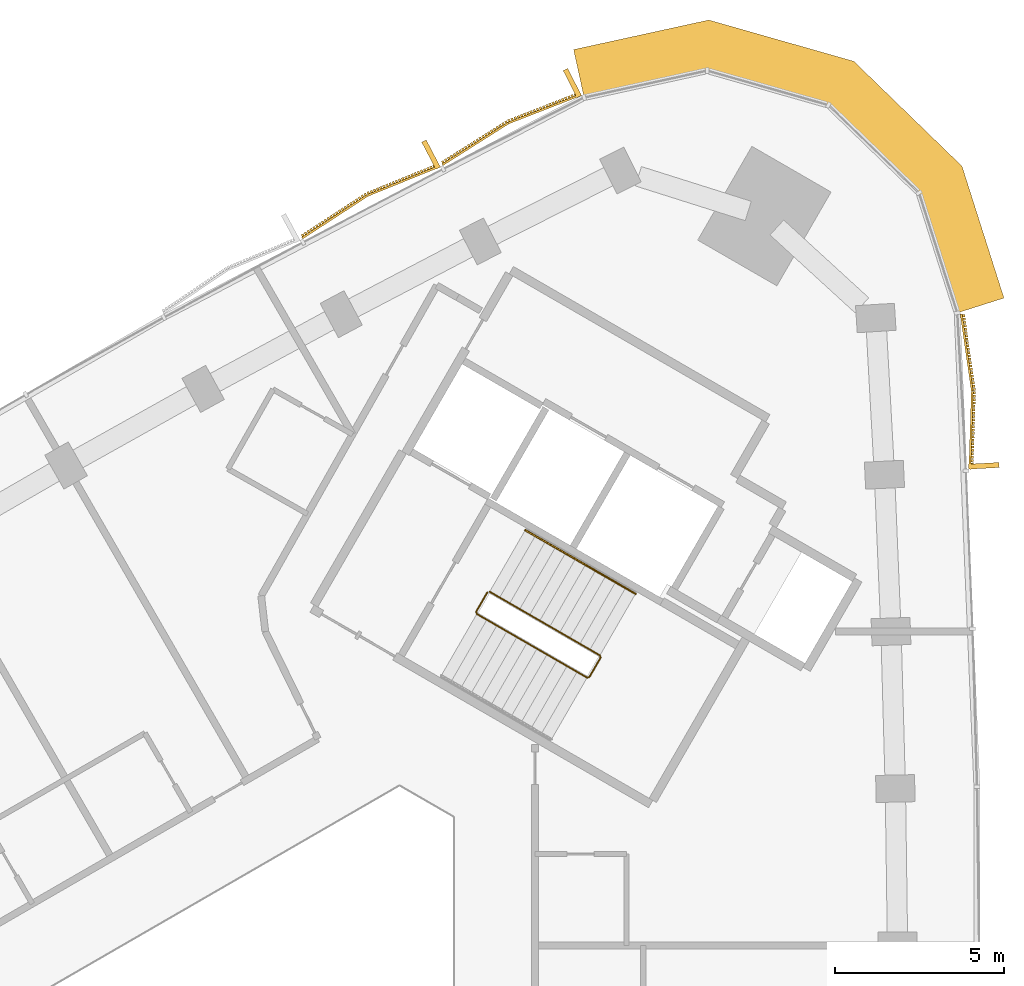
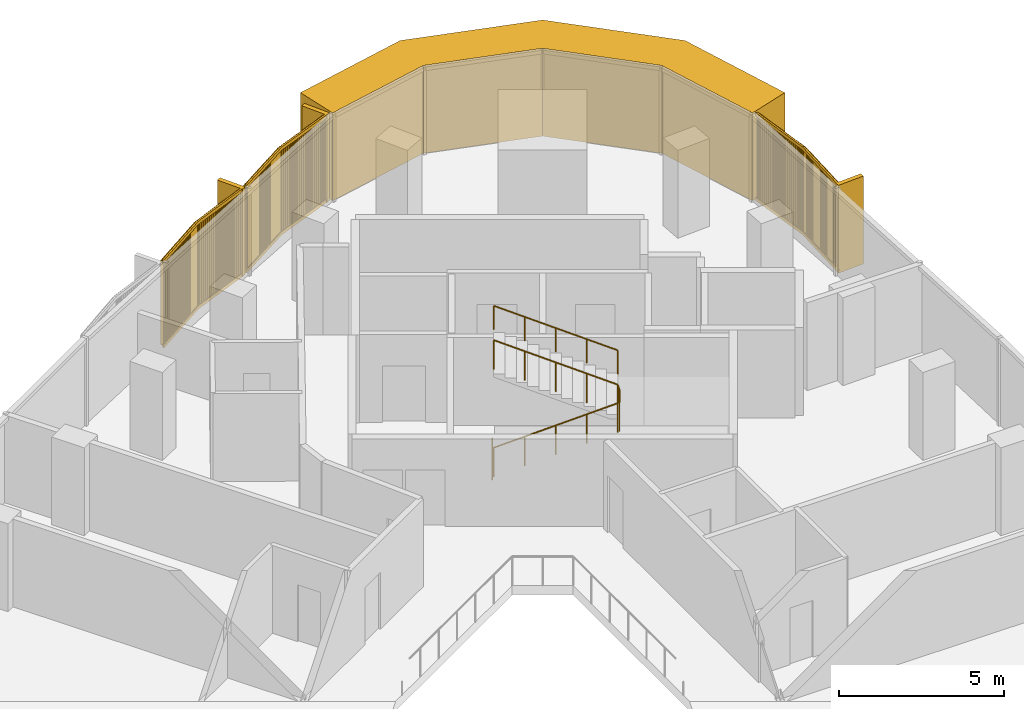
# One storey, part 13 of 13: 4 coverings, 2 railings.
"""IFC4 building model written with IfcOpenShell, lengths in metres."""

from ifc_helpers import new_model, si_unit, direction, frame, frame_2d, origin, origin_2d, place, context, subcontext, project, spatial, polyline, rectangle, circle, outline, extrude, source, transform, mapped, material, layer, layer_set, type_object, element, save


model = new_model("IFC4")

# Units and contexts
model_context = context("Model", 3, precision=1e-05, world=origin(), true_north=direction((0.0, 1.0)))
body_context = subcontext(model_context, "Body", "Model", "MODEL_VIEW")
ifc_project = project(units=[si_unit("LENGTHUNIT", "METRE"), si_unit("AREAUNIT", "SQUARE_METRE"), si_unit("VOLUMEUNIT", "CUBIC_METRE"), si_unit("PLANEANGLEUNIT", "RADIAN"), si_unit("MASSUNIT", "GRAM", prefix="KILO")], contexts=[model_context])

# Site, building, storey
site_placement = place(None, origin())
site = spatial("IfcSite", under=ifc_project, at=site_placement, CompositionType="ELEMENT")
building_placement = place(site_placement, origin())
building = spatial("IfcBuilding", under=site, at=building_placement, Name="Tamra Quay Hotel Tower", CompositionType="ELEMENT")
storey_placement = place(building_placement, frame((0.0, 0.0, 193.60009765625)))
storey = spatial("IfcBuildingStorey", under=building, at=storey_placement, Name="L48", CompositionType="ELEMENT", Elevation=193.60009765625)

# Covering
ifc_material_1 = material(Name="Precast concrete M60 terracotta-coloured", Category="masonry")
ifc_layer = layer(ifc_material_1, 1.449951171875)
ifc_layer_set = layer_set([ifc_layer], Name="CORNER PIER PANEL")
covering_type_1 = type_object("IfcCoveringType", Name="CORNER PIER PANEL", PredefinedType="CLADDING", material=ifc_layer_set)
covering_1_placement = place(storey_placement, origin())
element("IfcCovering", 1, at=covering_1_placement, inside=storey, type_object=covering_type_1, Name="Corner pier L48.east", PredefinedType="CLADDING", context=body_context, shape_type="SweptSolid", body=[
    extrude(outline(polyline([(19.4755859375, 21.00537109375), (20.857421875, 21.4453125), (19.616943359375, 25.3408203125), (16.419921875, 28.440185546875), (12.13720703125, 29.6591796875), (8.1435546875, 28.78564453125), (8.453369140625, 27.369140625), (12.091064453125, 28.164794921875), (15.67236328125, 27.1455078125), (18.345703125, 24.553466796875), (19.4755859375, 21.00537109375)])), origin(), (0.0, 0.0, 1.0), 3.25),
])

# Railings
ifc_material_2 = material(Name="Stair guard 1100")
railing_type_1 = type_object("IfcRailingType", Name="Stair guard 1100", PredefinedType="GUARDRAIL", material=ifc_material_2)
railing_1_placement = place(storey_placement, frame((5.595458984375, 12.751953125, 0.0)))
element("IfcRailing", 2, at=railing_1_placement, inside=storey, type_object=railing_type_1, Name="GR", PredefinedType="GUARDRAIL", context=body_context, shape_type="SweptSolid", body=[
    extrude(circle(Radius=0.02392578125, at=origin_2d()), frame((0.0, 0.0, 1.076171875), z_axis=(-0.499765215335, -0.866160914346, 0.0), x_axis=(0.866160914346, -0.499765215335, 0.0)), (0.0, 0.0, 1.0), 0.658935546875),
    extrude(circle(Radius=0.02392578125, at=origin_2d()), frame((-0.329345703125, -0.57080078125, 1.076171875), z_axis=(0.110525977783, -0.411156637351, 0.904839338113), x_axis=(0.965715946433, 0.259601060869, 0.0)), (0.0, 0.0, 1.0), 0.165771484375),
    extrude(circle(Radius=0.02392578125, at=origin_2d()), frame((-0.31103515625, -0.638916015625, 1.22607421875), z_axis=(0.793078462799, -0.457933869594, 0.401650498471), x_axis=(0.500040788363, 0.866001853331, 0.0)), (0.0, 0.0, 1.0), 4.10791015625),
    extrude(circle(Radius=0.02392578125, at=origin_2d()), frame((2.94677734375, -2.52001953125, 2.8759765625), z_axis=(0.965948051503, 0.258736085224, 0.0), x_axis=(-0.258736085224, 0.965948051503, 0.0)), (0.0, 0.0, 1.0), 0.07080078125),
    extrude(circle(Radius=0.02392578125, at=origin_2d()), frame((3.01513671875, -2.501708984375, 2.8759765625), z_axis=(0.500043078269, 0.866000531106, 0.0), x_axis=(-0.866000531106, 0.500043078269, 0.0)), (0.0, 0.0, 1.0), 0.6591796875),
    extrude(circle(Radius=0.02392578125, at=origin_2d()), frame((3.3447265625, -1.930908203125, 2.8759765625), z_axis=(-0.110378772244, 0.410609032747, 0.905105932399), x_axis=(-0.965715946433, -0.259601060869, 0.0)), (0.0, 0.0, 1.0), 0.165771484375),
    extrude(circle(Radius=0.02392578125, at=origin_2d()), frame((3.326416015625, -1.86279296875, 3.02587890625), z_axis=(-0.793100512587, 0.457912285461, 0.401631567183), x_axis=(-0.500012686397, -0.866018079166, 0.0)), (0.0, 0.0, 1.0), 4.10791015625),
    extrude(circle(Radius=0.02099609375, at=origin_2d()), origin(), (0.0, 0.0, 1.0), 1.052001953125),
    extrude(circle(Radius=0.02099609375, at=origin_2d()), frame((-0.329345703125, -0.57080078125, 0.0)), (0.0, 0.0, 1.0), 1.052001953125),
    extrude(circle(Radius=0.02099609375, at=origin_2d()), frame((-0.31103515625, -0.638916015625, 0.14990234375)), (0.0, 0.0, 1.0), 1.052001953125),
    extrude(circle(Radius=0.02099609375, at=origin_2d()), frame((0.50341796875, -1.109130859375, 0.5625)), (0.0, 0.0, 1.0), 1.052001953125),
    extrude(circle(Radius=0.02099609375, at=origin_2d()), frame((1.31787109375, -1.57958984375, 0.974853515625)), (0.0, 0.0, 1.0), 1.052001953125),
    extrude(circle(Radius=0.02099609375, at=origin_2d()), frame((2.13232421875, -2.0498046875, 1.38720703125)), (0.0, 0.0, 1.0), 1.052001953125),
    extrude(circle(Radius=0.02099609375, at=origin_2d()), frame((2.94677734375, -2.52001953125, 1.7998046875)), (0.0, 0.0, 1.0), 1.052001953125),
    extrude(circle(Radius=0.02099609375, at=origin_2d()), frame((3.01513671875, -2.501708984375, 1.7998046875)), (0.0, 0.0, 1.0), 1.052001953125),
    extrude(circle(Radius=0.02099609375, at=origin_2d()), frame((3.3447265625, -1.930908203125, 1.7998046875)), (0.0, 0.0, 1.0), 1.052001953125),
    extrude(circle(Radius=0.02099609375, at=origin_2d()), frame((3.326416015625, -1.86279296875, 1.949951171875)), (0.0, 0.0, 1.0), 1.052001953125),
    extrude(circle(Radius=0.02099609375, at=origin_2d()), frame((2.511962890625, -1.392578125, 2.3623046875)), (0.0, 0.0, 1.0), 1.052001953125),
    extrude(circle(Radius=0.02099609375, at=origin_2d()), frame((1.697265625, -0.92236328125, 2.77490234375)), (0.0, 0.0, 1.0), 1.052001953125),
    extrude(circle(Radius=0.02099609375, at=origin_2d()), frame((0.8828125, -0.451904296875, 3.1875)), (0.0, 0.0, 1.0), 1.052001953125),
    extrude(circle(Radius=0.02099609375, at=origin_2d()), frame((0.068359375, 0.018310546875, 3.599853515625)), (0.0, 0.0, 1.0), 1.052001953125),
])
ifc_material_3 = material(Name="Stair handrail 900")
railing_type_2 = type_object("IfcRailingType", Name="Stair handrail 900", PredefinedType="HANDRAIL", material=ifc_material_3)
railing_2_placement = place(storey_placement, frame((9.971923828125, 12.7080078125, 1.949951171875)))
element("IfcRailing", 3, at=railing_2_placement, inside=storey, type_object=railing_type_2, Name="HR", PredefinedType="HANDRAIL", context=body_context, shape_type="SweptSolid", body=[
    extrude(circle(Radius=0.02392578125, at=origin_2d()), frame((0.0, 0.0, 0.8759765625), z_axis=(-0.793122095483, 0.45786531462, 0.401642496911), x_axis=(-0.499964013922, -0.86604617936, 0.0)), (0.0, 0.0, 1.0), 4.10791015625),
    extrude(circle(Radius=0.02099609375, at=origin_2d()), origin(), (0.0, 0.0, 1.0), 0.851806640625),
    extrude(circle(Radius=0.02099609375, at=origin_2d()), frame((-0.814453125, 0.47021484375, 0.41259765625)), (0.0, 0.0, 1.0), 0.851806640625),
    extrude(circle(Radius=0.02099609375, at=origin_2d()), frame((-1.62890625, 0.9404296875, 0.824951171875)), (0.0, 0.0, 1.0), 0.851806640625),
    extrude(circle(Radius=0.02099609375, at=origin_2d()), frame((-2.443603515625, 1.41064453125, 1.2373046875)), (0.0, 0.0, 1.0), 0.851806640625),
    extrude(circle(Radius=0.02099609375, at=origin_2d()), frame((-3.258056640625, 1.880859375, 1.64990234375)), (0.0, 0.0, 1.0), 0.851806640625),
])

# Coverings
ifc_material_4 = material(Name="Terracotta baguette extruded", Category="masonry")
covering_type_2 = type_object("IfcCoveringType", Name="BAGUETTE SCREEN E-V H3250", PredefinedType="USERDEFINED", material=ifc_material_4)
shared_shape_1 = source(origin(), body_context, "Body", "SweptSolid", [
    extrude(rectangle(XDim=2.30126953125, YDim=0.06005859375, at=frame_2d((1.150634765625, 0.030029296875))), frame((-2.2978515625, -0.057861328125, -0.1201171875), z_axis=(0.0, 0.0, 1.0), x_axis=(0.996194698092, -0.087155742748, 0.0)), (0.0, 0.0, 1.0), 0.1201171875),
    extrude(rectangle(XDim=2.30126953125, YDim=0.06005859375, at=frame_2d((1.150634765625, 0.030029296875))), frame((-2.2978515625, -0.057861328125, -3.25), z_axis=(0.0, 0.0, 1.0), x_axis=(0.996194698092, -0.087155742748, 0.0)), (0.0, 0.0, 1.0), 0.1201171875),
    extrude(rectangle(XDim=0.070068359375, YDim=0.10009765625, at=frame_2d((0.03515625, 0.050048828125))), frame((-2.277587890625, -0.13232421875, -3.18994140625)), (0.0, 0.0, 1.0), 3.1298828125),
    extrude(rectangle(XDim=0.070068359375, YDim=0.10009765625, at=frame_2d((0.03515625, 0.050048828125))), frame((-2.177978515625, -0.14111328125, -3.18994140625)), (0.0, 0.0, 1.0), 3.1298828125),
    extrude(rectangle(XDim=0.070068359375, YDim=0.10009765625, at=frame_2d((0.03515625, 0.050048828125))), frame((-2.078369140625, -0.14990234375, -3.18994140625)), (0.0, 0.0, 1.0), 3.1298828125),
    extrude(rectangle(XDim=0.070068359375, YDim=0.10009765625, at=frame_2d((0.03515625, 0.050048828125))), frame((-1.978759765625, -0.158447265625, -3.18994140625)), (0.0, 0.0, 1.0), 3.1298828125),
    extrude(rectangle(XDim=0.070068359375, YDim=0.10009765625, at=frame_2d((0.03515625, 0.050048828125))), frame((-1.87890625, -0.167236328125, -3.18994140625)), (0.0, 0.0, 1.0), 3.1298828125),
    extrude(rectangle(XDim=0.070068359375, YDim=0.10009765625, at=frame_2d((0.03515625, 0.050048828125))), frame((-1.779296875, -0.176025390625, -3.18994140625)), (0.0, 0.0, 1.0), 3.1298828125),
    extrude(rectangle(XDim=0.070068359375, YDim=0.10009765625, at=frame_2d((0.03515625, 0.050048828125))), frame((-1.6796875, -0.1845703125, -3.18994140625)), (0.0, 0.0, 1.0), 3.1298828125),
    extrude(rectangle(XDim=0.070068359375, YDim=0.10009765625, at=frame_2d((0.03515625, 0.050048828125))), frame((-1.579833984375, -0.193359375, -3.18994140625)), (0.0, 0.0, 1.0), 3.1298828125),
    extrude(rectangle(XDim=0.070068359375, YDim=0.10009765625, at=frame_2d((0.03515625, 0.050048828125))), frame((-1.480224609375, -0.2021484375, -3.18994140625)), (0.0, 0.0, 1.0), 3.1298828125),
    extrude(rectangle(XDim=0.070068359375, YDim=0.10009765625, at=frame_2d((0.03515625, 0.050048828125))), frame((-1.380615234375, -0.2109375, -3.18994140625)), (0.0, 0.0, 1.0), 3.1298828125),
    extrude(rectangle(XDim=0.070068359375, YDim=0.10009765625, at=frame_2d((0.03515625, 0.050048828125))), frame((-1.281005859375, -0.219482421875, -3.18994140625)), (0.0, 0.0, 1.0), 3.1298828125),
    extrude(rectangle(XDim=0.070068359375, YDim=0.10009765625, at=frame_2d((0.03515625, 0.050048828125))), frame((-1.18115234375, -0.228271484375, -3.18994140625)), (0.0, 0.0, 1.0), 3.1298828125),
    extrude(rectangle(XDim=0.070068359375, YDim=0.10009765625, at=frame_2d((0.03515625, 0.050048828125))), frame((-1.08154296875, -0.237060546875, -3.18994140625)), (0.0, 0.0, 1.0), 3.1298828125),
    extrude(rectangle(XDim=0.070068359375, YDim=0.10009765625, at=frame_2d((0.03515625, 0.050048828125))), frame((-0.98193359375, -0.24560546875, -3.18994140625)), (0.0, 0.0, 1.0), 3.1298828125),
    extrude(rectangle(XDim=0.070068359375, YDim=0.10009765625, at=frame_2d((0.03515625, 0.050048828125))), frame((-0.88232421875, -0.25439453125, -3.18994140625)), (0.0, 0.0, 1.0), 3.1298828125),
    extrude(rectangle(XDim=0.070068359375, YDim=0.10009765625, at=frame_2d((0.03515625, 0.050048828125))), frame((-0.782470703125, -0.26318359375, -3.18994140625)), (0.0, 0.0, 1.0), 3.1298828125),
    extrude(rectangle(XDim=0.070068359375, YDim=0.10009765625, at=frame_2d((0.03515625, 0.050048828125))), frame((-0.682861328125, -0.27197265625, -3.18994140625)), (0.0, 0.0, 1.0), 3.1298828125),
    extrude(rectangle(XDim=0.070068359375, YDim=0.10009765625, at=frame_2d((0.03515625, 0.050048828125))), frame((-0.583251953125, -0.280517578125, -3.18994140625)), (0.0, 0.0, 1.0), 3.1298828125),
    extrude(rectangle(XDim=0.070068359375, YDim=0.10009765625, at=frame_2d((0.03515625, 0.050048828125))), frame((-0.483642578125, -0.289306640625, -3.18994140625)), (0.0, 0.0, 1.0), 3.1298828125),
    extrude(rectangle(XDim=0.070068359375, YDim=0.10009765625, at=frame_2d((0.03515625, 0.050048828125))), frame((-0.3837890625, -0.298095703125, -3.18994140625)), (0.0, 0.0, 1.0), 3.1298828125),
    extrude(rectangle(XDim=0.070068359375, YDim=0.10009765625, at=frame_2d((0.03515625, 0.050048828125))), frame((-0.2841796875, -0.306884765625, -3.18994140625)), (0.0, 0.0, 1.0), 3.1298828125),
    extrude(rectangle(XDim=0.070068359375, YDim=0.10009765625, at=frame_2d((0.03515625, 0.050048828125))), frame((-0.1845703125, -0.3154296875, -3.18994140625)), (0.0, 0.0, 1.0), 3.1298828125),
    extrude(rectangle(XDim=0.070068359375, YDim=0.10009765625, at=frame_2d((0.03515625, 0.050048828125))), frame((-0.0849609375, -0.32421875, -3.18994140625)), (0.0, 0.0, 1.0), 3.1298828125),
    extrude(rectangle(XDim=2.30126953125, YDim=0.06005859375, at=frame_2d((1.150634765625, 0.030029296875))), frame((0.005126953125, -0.25830078125, -0.1201171875), z_axis=(0.0, 0.0, 1.0), x_axis=(0.996194698092, 0.087155742748, 0.0)), (0.0, 0.0, 1.0), 0.1201171875),
    extrude(rectangle(XDim=2.30126953125, YDim=0.06005859375, at=frame_2d((1.150634765625, 0.030029296875))), frame((0.005126953125, -0.25830078125, -3.25), z_axis=(0.0, 0.0, 1.0), x_axis=(0.996194698092, 0.087155742748, 0.0)), (0.0, 0.0, 1.0), 0.1201171875),
    extrude(rectangle(XDim=0.070068359375, YDim=0.10009765625, at=frame_2d((0.03515625, 0.050048828125))), frame((0.014892578125, -0.32421875, -3.18994140625)), (0.0, 0.0, 1.0), 3.1298828125),
    extrude(rectangle(XDim=0.070068359375, YDim=0.10009765625, at=frame_2d((0.03515625, 0.050048828125))), frame((0.114501953125, -0.3154296875, -3.18994140625)), (0.0, 0.0, 1.0), 3.1298828125),
    extrude(rectangle(XDim=0.070068359375, YDim=0.10009765625, at=frame_2d((0.03515625, 0.050048828125))), frame((0.214111328125, -0.306884765625, -3.18994140625)), (0.0, 0.0, 1.0), 3.1298828125),
    extrude(rectangle(XDim=0.070068359375, YDim=0.10009765625, at=frame_2d((0.03515625, 0.050048828125))), frame((0.31396484375, -0.298095703125, -3.18994140625)), (0.0, 0.0, 1.0), 3.1298828125),
    extrude(rectangle(XDim=0.070068359375, YDim=0.10009765625, at=frame_2d((0.03515625, 0.050048828125))), frame((0.41357421875, -0.289306640625, -3.18994140625)), (0.0, 0.0, 1.0), 3.1298828125),
    extrude(rectangle(XDim=0.070068359375, YDim=0.10009765625, at=frame_2d((0.03515625, 0.050048828125))), frame((0.51318359375, -0.280517578125, -3.18994140625)), (0.0, 0.0, 1.0), 3.1298828125),
    extrude(rectangle(XDim=0.070068359375, YDim=0.10009765625, at=frame_2d((0.03515625, 0.050048828125))), frame((0.61279296875, -0.27197265625, -3.18994140625)), (0.0, 0.0, 1.0), 3.1298828125),
    extrude(rectangle(XDim=0.070068359375, YDim=0.10009765625, at=frame_2d((0.03515625, 0.050048828125))), frame((0.712646484375, -0.26318359375, -3.18994140625)), (0.0, 0.0, 1.0), 3.1298828125),
    extrude(rectangle(XDim=0.070068359375, YDim=0.10009765625, at=frame_2d((0.03515625, 0.050048828125))), frame((0.812255859375, -0.25439453125, -3.18994140625)), (0.0, 0.0, 1.0), 3.1298828125),
    extrude(rectangle(XDim=0.070068359375, YDim=0.10009765625, at=frame_2d((0.03515625, 0.050048828125))), frame((0.911865234375, -0.24560546875, -3.18994140625)), (0.0, 0.0, 1.0), 3.1298828125),
    extrude(rectangle(XDim=0.070068359375, YDim=0.10009765625, at=frame_2d((0.03515625, 0.050048828125))), frame((1.011474609375, -0.237060546875, -3.18994140625)), (0.0, 0.0, 1.0), 3.1298828125),
    extrude(rectangle(XDim=0.070068359375, YDim=0.10009765625, at=frame_2d((0.03515625, 0.050048828125))), frame((1.111328125, -0.228271484375, -3.18994140625)), (0.0, 0.0, 1.0), 3.1298828125),
    extrude(rectangle(XDim=0.070068359375, YDim=0.10009765625, at=frame_2d((0.03515625, 0.050048828125))), frame((1.2109375, -0.219482421875, -3.18994140625)), (0.0, 0.0, 1.0), 3.1298828125),
    extrude(rectangle(XDim=0.070068359375, YDim=0.10009765625, at=frame_2d((0.03515625, 0.050048828125))), frame((1.310546875, -0.2109375, -3.18994140625)), (0.0, 0.0, 1.0), 3.1298828125),
    extrude(rectangle(XDim=0.070068359375, YDim=0.10009765625, at=frame_2d((0.03515625, 0.050048828125))), frame((1.41015625, -0.2021484375, -3.18994140625)), (0.0, 0.0, 1.0), 3.1298828125),
    extrude(rectangle(XDim=0.070068359375, YDim=0.10009765625, at=frame_2d((0.03515625, 0.050048828125))), frame((1.510009765625, -0.193359375, -3.18994140625)), (0.0, 0.0, 1.0), 3.1298828125),
    extrude(rectangle(XDim=0.070068359375, YDim=0.10009765625, at=frame_2d((0.03515625, 0.050048828125))), frame((1.609619140625, -0.1845703125, -3.18994140625)), (0.0, 0.0, 1.0), 3.1298828125),
    extrude(rectangle(XDim=0.070068359375, YDim=0.10009765625, at=frame_2d((0.03515625, 0.050048828125))), frame((1.709228515625, -0.176025390625, -3.18994140625)), (0.0, 0.0, 1.0), 3.1298828125),
    extrude(rectangle(XDim=0.070068359375, YDim=0.10009765625, at=frame_2d((0.03515625, 0.050048828125))), frame((1.80908203125, -0.167236328125, -3.18994140625)), (0.0, 0.0, 1.0), 3.1298828125),
    extrude(rectangle(XDim=0.070068359375, YDim=0.10009765625, at=frame_2d((0.03515625, 0.050048828125))), frame((1.90869140625, -0.158447265625, -3.18994140625)), (0.0, 0.0, 1.0), 3.1298828125),
    extrude(rectangle(XDim=0.070068359375, YDim=0.10009765625, at=frame_2d((0.03515625, 0.050048828125))), frame((2.00830078125, -0.14990234375, -3.18994140625)), (0.0, 0.0, 1.0), 3.1298828125),
    extrude(rectangle(XDim=0.070068359375, YDim=0.10009765625, at=frame_2d((0.03515625, 0.050048828125))), frame((2.10791015625, -0.14111328125, -3.18994140625)), (0.0, 0.0, 1.0), 3.1298828125),
    extrude(rectangle(XDim=0.070068359375, YDim=0.10009765625, at=frame_2d((0.03515625, 0.050048828125))), frame((2.207763671875, -0.13232421875, -3.18994140625)), (0.0, 0.0, 1.0), 3.1298828125),
    extrude(rectangle(XDim=0.14990234375, YDim=0.902099609375, at=frame_2d((0.074951171875, 0.451171875))), frame((-2.29248046875, -0.89990234375, -3.25)), (0.0, 0.0, 1.0), 3.25),
])
covering_2_placement = place(storey_placement, frame((19.69287109375, 18.678466796875, 3.25), z_axis=(0.0, 0.0, 1.0), x_axis=(-0.055416308058, 0.998463335732, 0.0)))
element("IfcCovering", 4, at=covering_2_placement, inside=storey, type_object=covering_type_2, Name="Baguette screen L48.E.f08", ObjectType="BAGUETTE SCREEN", PredefinedType="USERDEFINED", context=body_context, shape_type="MappedRepresentation", body=[
    mapped(shared_shape_1, transform((0.0, 0.0, 0.0), scale=1.0)),
])
covering_type_3 = type_object("IfcCoveringType", Name="BAGUETTE SCREEN NW-V H3250", PredefinedType="USERDEFINED", material=ifc_material_4)
shared_shape_2 = source(origin(), body_context, "Body", "SweptSolid", [
    extrude(rectangle(XDim=2.302978515625, YDim=0.06005859375, at=frame_2d((1.1513671875, 0.030029296875))), frame((-2.29833984375, -0.0576171875, -0.1201171875), z_axis=(0.0, 0.0, 1.0), x_axis=(0.995396198367, -0.09584575252, 0.0)), (0.0, 0.0, 1.0), 0.1201171875),
    extrude(rectangle(XDim=2.302978515625, YDim=0.06005859375, at=frame_2d((1.1513671875, 0.030029296875))), frame((-2.29833984375, -0.0576171875, -3.25), z_axis=(0.0, 0.0, 1.0), x_axis=(0.995396198367, -0.09584575252, 0.0)), (0.0, 0.0, 1.0), 0.1201171875),
    extrude(rectangle(XDim=0.070068359375, YDim=0.10009765625, at=frame_2d((0.03515625, 0.050048828125))), frame((-2.277587890625, -0.1328125, -3.18994140625)), (0.0, 0.0, 1.0), 3.1298828125),
    extrude(rectangle(XDim=0.070068359375, YDim=0.10009765625, at=frame_2d((0.03515625, 0.050048828125))), frame((-2.177978515625, -0.142333984375, -3.18994140625)), (0.0, 0.0, 1.0), 3.1298828125),
    extrude(rectangle(XDim=0.070068359375, YDim=0.10009765625, at=frame_2d((0.03515625, 0.050048828125))), frame((-2.078369140625, -0.152099609375, -3.18994140625)), (0.0, 0.0, 1.0), 3.1298828125),
    extrude(rectangle(XDim=0.070068359375, YDim=0.10009765625, at=frame_2d((0.03515625, 0.050048828125))), frame((-1.978759765625, -0.16162109375, -3.18994140625)), (0.0, 0.0, 1.0), 3.1298828125),
    extrude(rectangle(XDim=0.070068359375, YDim=0.10009765625, at=frame_2d((0.03515625, 0.050048828125))), frame((-1.87890625, -0.171142578125, -3.18994140625)), (0.0, 0.0, 1.0), 3.1298828125),
    extrude(rectangle(XDim=0.070068359375, YDim=0.10009765625, at=frame_2d((0.03515625, 0.050048828125))), frame((-1.779296875, -0.180908203125, -3.18994140625)), (0.0, 0.0, 1.0), 3.1298828125),
    extrude(rectangle(XDim=0.070068359375, YDim=0.10009765625, at=frame_2d((0.03515625, 0.050048828125))), frame((-1.6796875, -0.1904296875, -3.18994140625)), (0.0, 0.0, 1.0), 3.1298828125),
    extrude(rectangle(XDim=0.070068359375, YDim=0.10009765625, at=frame_2d((0.03515625, 0.050048828125))), frame((-1.579833984375, -0.199951171875, -3.18994140625)), (0.0, 0.0, 1.0), 3.1298828125),
    extrude(rectangle(XDim=0.070068359375, YDim=0.10009765625, at=frame_2d((0.03515625, 0.050048828125))), frame((-1.480224609375, -0.20947265625, -3.18994140625)), (0.0, 0.0, 1.0), 3.1298828125),
    extrude(rectangle(XDim=0.070068359375, YDim=0.10009765625, at=frame_2d((0.03515625, 0.050048828125))), frame((-1.380615234375, -0.21923828125, -3.18994140625)), (0.0, 0.0, 1.0), 3.1298828125),
    extrude(rectangle(XDim=0.070068359375, YDim=0.10009765625, at=frame_2d((0.03515625, 0.050048828125))), frame((-1.281005859375, -0.228759765625, -3.18994140625)), (0.0, 0.0, 1.0), 3.1298828125),
    extrude(rectangle(XDim=0.070068359375, YDim=0.10009765625, at=frame_2d((0.03515625, 0.050048828125))), frame((-1.18115234375, -0.23828125, -3.18994140625)), (0.0, 0.0, 1.0), 3.1298828125),
    extrude(rectangle(XDim=0.070068359375, YDim=0.10009765625, at=frame_2d((0.03515625, 0.050048828125))), frame((-1.08154296875, -0.248046875, -3.18994140625)), (0.0, 0.0, 1.0), 3.1298828125),
    extrude(rectangle(XDim=0.070068359375, YDim=0.10009765625, at=frame_2d((0.03515625, 0.050048828125))), frame((-0.98193359375, -0.257568359375, -3.18994140625)), (0.0, 0.0, 1.0), 3.1298828125),
    extrude(rectangle(XDim=0.070068359375, YDim=0.10009765625, at=frame_2d((0.03515625, 0.050048828125))), frame((-0.88232421875, -0.26708984375, -3.18994140625)), (0.0, 0.0, 1.0), 3.1298828125),
    extrude(rectangle(XDim=0.070068359375, YDim=0.10009765625, at=frame_2d((0.03515625, 0.050048828125))), frame((-0.782470703125, -0.27685546875, -3.18994140625)), (0.0, 0.0, 1.0), 3.1298828125),
    extrude(rectangle(XDim=0.070068359375, YDim=0.10009765625, at=frame_2d((0.03515625, 0.050048828125))), frame((-0.682861328125, -0.286376953125, -3.18994140625)), (0.0, 0.0, 1.0), 3.1298828125),
    extrude(rectangle(XDim=0.070068359375, YDim=0.10009765625, at=frame_2d((0.03515625, 0.050048828125))), frame((-0.583251953125, -0.2958984375, -3.18994140625)), (0.0, 0.0, 1.0), 3.1298828125),
    extrude(rectangle(XDim=0.070068359375, YDim=0.10009765625, at=frame_2d((0.03515625, 0.050048828125))), frame((-0.483642578125, -0.3056640625, -3.18994140625)), (0.0, 0.0, 1.0), 3.1298828125),
    extrude(rectangle(XDim=0.070068359375, YDim=0.10009765625, at=frame_2d((0.03515625, 0.050048828125))), frame((-0.3837890625, -0.315185546875, -3.18994140625)), (0.0, 0.0, 1.0), 3.1298828125),
    extrude(rectangle(XDim=0.070068359375, YDim=0.10009765625, at=frame_2d((0.03515625, 0.050048828125))), frame((-0.2841796875, -0.32470703125, -3.18994140625)), (0.0, 0.0, 1.0), 3.1298828125),
    extrude(rectangle(XDim=0.070068359375, YDim=0.10009765625, at=frame_2d((0.03515625, 0.050048828125))), frame((-0.1845703125, -0.334228515625, -3.18994140625)), (0.0, 0.0, 1.0), 3.1298828125),
    extrude(rectangle(XDim=0.070068359375, YDim=0.10009765625, at=frame_2d((0.03515625, 0.050048828125))), frame((-0.0849609375, -0.343994140625, -3.18994140625)), (0.0, 0.0, 1.0), 3.1298828125),
    extrude(rectangle(XDim=2.302978515625, YDim=0.06005859375, at=frame_2d((1.1513671875, 0.030029296875))), frame((0.005859375, -0.278564453125, -0.1201171875), z_axis=(0.0, 0.0, 1.0), x_axis=(0.995396198367, 0.09584575252, 0.0)), (0.0, 0.0, 1.0), 0.1201171875),
    extrude(rectangle(XDim=2.302978515625, YDim=0.06005859375, at=frame_2d((1.1513671875, 0.030029296875))), frame((0.005859375, -0.278564453125, -3.25), z_axis=(0.0, 0.0, 1.0), x_axis=(0.995396198367, 0.09584575252, 0.0)), (0.0, 0.0, 1.0), 0.1201171875),
    extrude(rectangle(XDim=0.070068359375, YDim=0.10009765625, at=frame_2d((0.03515625, 0.050048828125))), frame((0.014892578125, -0.343994140625, -3.18994140625)), (0.0, 0.0, 1.0), 3.1298828125),
    extrude(rectangle(XDim=0.070068359375, YDim=0.10009765625, at=frame_2d((0.03515625, 0.050048828125))), frame((0.114501953125, -0.334228515625, -3.18994140625)), (0.0, 0.0, 1.0), 3.1298828125),
    extrude(rectangle(XDim=0.070068359375, YDim=0.10009765625, at=frame_2d((0.03515625, 0.050048828125))), frame((0.214111328125, -0.32470703125, -3.18994140625)), (0.0, 0.0, 1.0), 3.1298828125),
    extrude(rectangle(XDim=0.070068359375, YDim=0.10009765625, at=frame_2d((0.03515625, 0.050048828125))), frame((0.31396484375, -0.315185546875, -3.18994140625)), (0.0, 0.0, 1.0), 3.1298828125),
    extrude(rectangle(XDim=0.070068359375, YDim=0.10009765625, at=frame_2d((0.03515625, 0.050048828125))), frame((0.41357421875, -0.3056640625, -3.18994140625)), (0.0, 0.0, 1.0), 3.1298828125),
    extrude(rectangle(XDim=0.070068359375, YDim=0.10009765625, at=frame_2d((0.03515625, 0.050048828125))), frame((0.51318359375, -0.2958984375, -3.18994140625)), (0.0, 0.0, 1.0), 3.1298828125),
    extrude(rectangle(XDim=0.070068359375, YDim=0.10009765625, at=frame_2d((0.03515625, 0.050048828125))), frame((0.61279296875, -0.286376953125, -3.18994140625)), (0.0, 0.0, 1.0), 3.1298828125),
    extrude(rectangle(XDim=0.070068359375, YDim=0.10009765625, at=frame_2d((0.03515625, 0.050048828125))), frame((0.712646484375, -0.27685546875, -3.18994140625)), (0.0, 0.0, 1.0), 3.1298828125),
    extrude(rectangle(XDim=0.070068359375, YDim=0.10009765625, at=frame_2d((0.03515625, 0.050048828125))), frame((0.812255859375, -0.26708984375, -3.18994140625)), (0.0, 0.0, 1.0), 3.1298828125),
    extrude(rectangle(XDim=0.070068359375, YDim=0.10009765625, at=frame_2d((0.03515625, 0.050048828125))), frame((0.911865234375, -0.257568359375, -3.18994140625)), (0.0, 0.0, 1.0), 3.1298828125),
    extrude(rectangle(XDim=0.070068359375, YDim=0.10009765625, at=frame_2d((0.03515625, 0.050048828125))), frame((1.011474609375, -0.248046875, -3.18994140625)), (0.0, 0.0, 1.0), 3.1298828125),
    extrude(rectangle(XDim=0.070068359375, YDim=0.10009765625, at=frame_2d((0.03515625, 0.050048828125))), frame((1.111328125, -0.23828125, -3.18994140625)), (0.0, 0.0, 1.0), 3.1298828125),
    extrude(rectangle(XDim=0.070068359375, YDim=0.10009765625, at=frame_2d((0.03515625, 0.050048828125))), frame((1.2109375, -0.228759765625, -3.18994140625)), (0.0, 0.0, 1.0), 3.1298828125),
    extrude(rectangle(XDim=0.070068359375, YDim=0.10009765625, at=frame_2d((0.03515625, 0.050048828125))), frame((1.310546875, -0.21923828125, -3.18994140625)), (0.0, 0.0, 1.0), 3.1298828125),
    extrude(rectangle(XDim=0.070068359375, YDim=0.10009765625, at=frame_2d((0.03515625, 0.050048828125))), frame((1.41015625, -0.20947265625, -3.18994140625)), (0.0, 0.0, 1.0), 3.1298828125),
    extrude(rectangle(XDim=0.070068359375, YDim=0.10009765625, at=frame_2d((0.03515625, 0.050048828125))), frame((1.510009765625, -0.199951171875, -3.18994140625)), (0.0, 0.0, 1.0), 3.1298828125),
    extrude(rectangle(XDim=0.070068359375, YDim=0.10009765625, at=frame_2d((0.03515625, 0.050048828125))), frame((1.609619140625, -0.1904296875, -3.18994140625)), (0.0, 0.0, 1.0), 3.1298828125),
    extrude(rectangle(XDim=0.070068359375, YDim=0.10009765625, at=frame_2d((0.03515625, 0.050048828125))), frame((1.709228515625, -0.180908203125, -3.18994140625)), (0.0, 0.0, 1.0), 3.1298828125),
    extrude(rectangle(XDim=0.070068359375, YDim=0.10009765625, at=frame_2d((0.03515625, 0.050048828125))), frame((1.80908203125, -0.171142578125, -3.18994140625)), (0.0, 0.0, 1.0), 3.1298828125),
    extrude(rectangle(XDim=0.070068359375, YDim=0.10009765625, at=frame_2d((0.03515625, 0.050048828125))), frame((1.90869140625, -0.16162109375, -3.18994140625)), (0.0, 0.0, 1.0), 3.1298828125),
    extrude(rectangle(XDim=0.070068359375, YDim=0.10009765625, at=frame_2d((0.03515625, 0.050048828125))), frame((2.00830078125, -0.152099609375, -3.18994140625)), (0.0, 0.0, 1.0), 3.1298828125),
    extrude(rectangle(XDim=0.070068359375, YDim=0.10009765625, at=frame_2d((0.03515625, 0.050048828125))), frame((2.10791015625, -0.142333984375, -3.18994140625)), (0.0, 0.0, 1.0), 3.1298828125),
    extrude(rectangle(XDim=0.070068359375, YDim=0.10009765625, at=frame_2d((0.03515625, 0.050048828125))), frame((2.207763671875, -0.1328125, -3.18994140625)), (0.0, 0.0, 1.0), 3.1298828125),
    extrude(rectangle(XDim=0.14990234375, YDim=0.902099609375, at=frame_2d((0.074951171875, 0.451171875))), frame((-2.29248046875, -0.89990234375, -3.25)), (0.0, 0.0, 1.0), 3.25),
])
for number, where, z_axis, x_axis, name in (
    (5, (6.32958984375, 26.393798828125, 3.25), (0.0, 0.0, 1.0), (-0.89240276752, -0.451239737304, 0.0), "Baguette screen L48.NW.f00"),
    (6, (2.175048828125, 24.2568359375, 3.25), (0.0, 0.0, 1.0), (-0.886075332211, -0.46354126639, 0.0), "Baguette screen L48.NW.f01"),
):
    element("IfcCovering", number, at=place(storey_placement, frame(where, z_axis=z_axis, x_axis=x_axis)), inside=storey, type_object=covering_type_3, Name=name, ObjectType="BAGUETTE SCREEN", PredefinedType="USERDEFINED", context=body_context, shape_type="MappedRepresentation", body=[
        mapped(shared_shape_2, transform((0.0, 0.0, 0.0), scale=1.0)),
    ])

save(model, "model.ifc")
